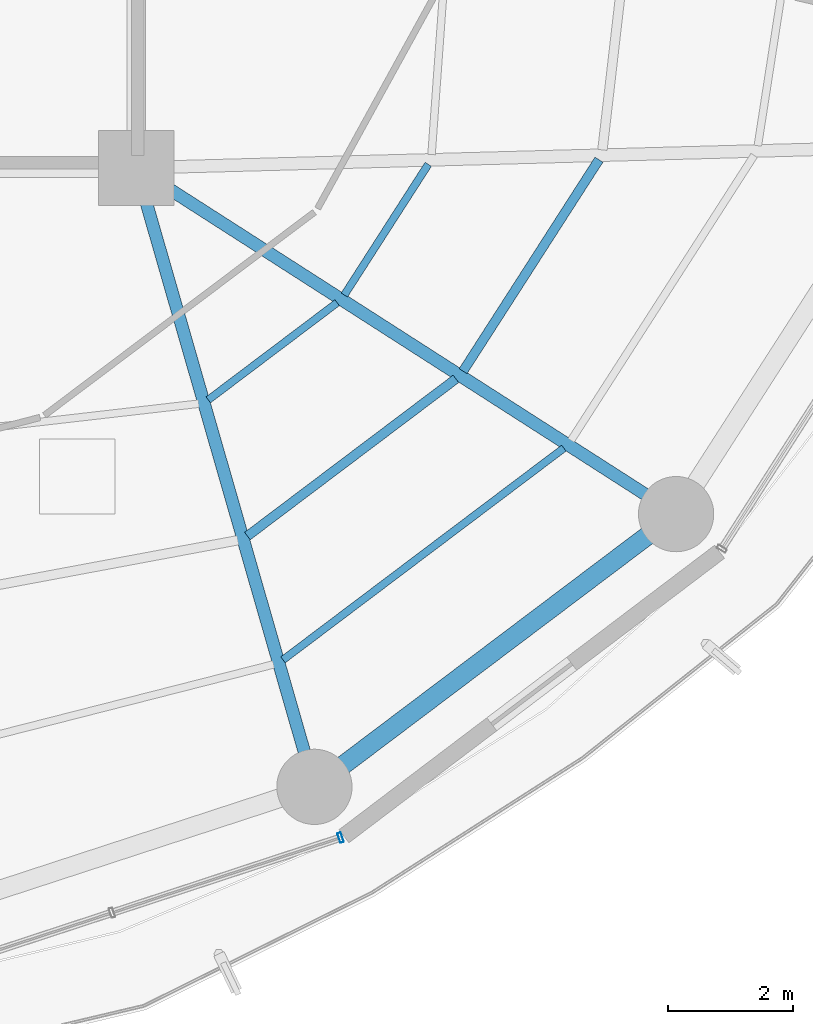
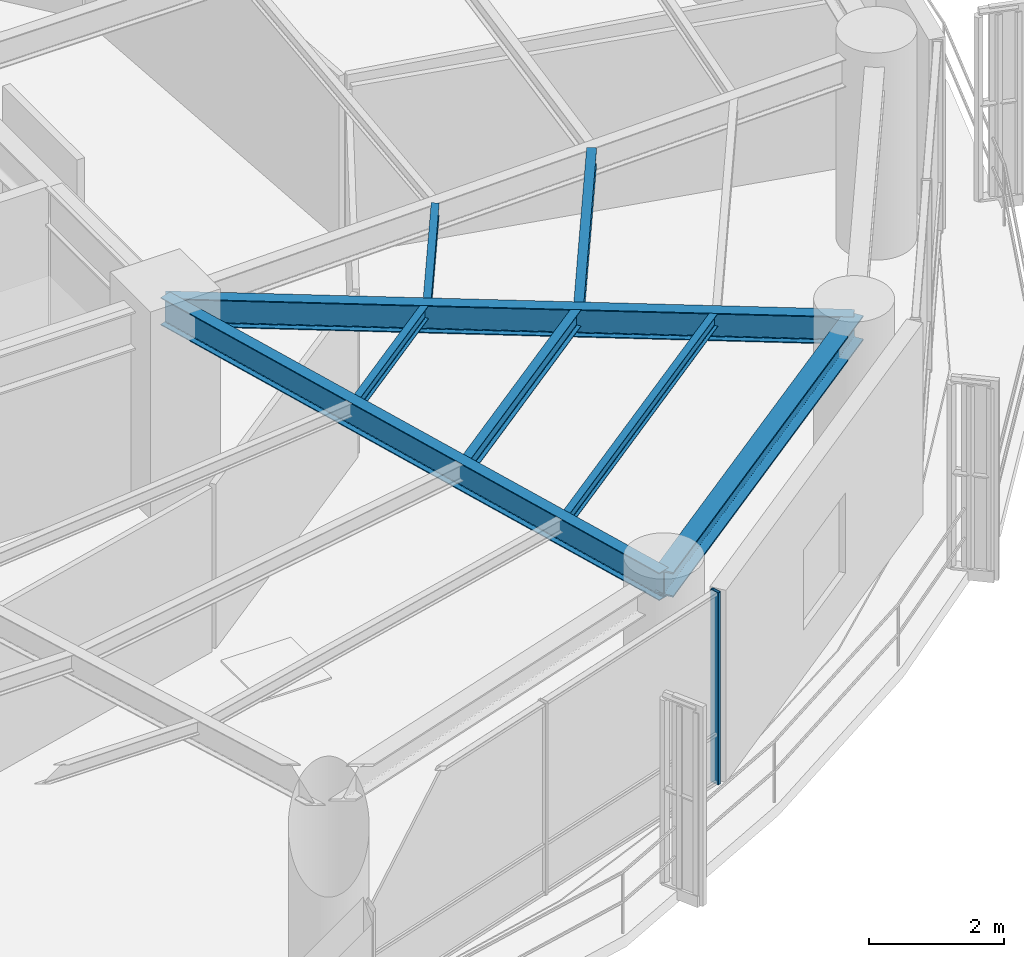
# One storey, part 10 of 27: 8 beams, 1 member, 1 element without a shape of its own.
"""IFC4 building model written with IfcOpenShell, lengths in metres."""

from ifc_helpers import new_model, si_unit, direction, frame, origin, origin_2d, place, context, subcontext, project, spatial, hollow_rectangle, i_section, extrude, material, layer, layer_set, material_profile, profile_set, type_object, element, aggregate, save


model = new_model("IFC4")

# Units and contexts
model_context = context("Model", 3, precision=1e-05, world=origin(), true_north=direction((0.0, 1.0)))
body_context = subcontext(model_context, "Body", "Model", "MODEL_VIEW")
ifc_project = project(units=[si_unit("LENGTHUNIT", "METRE"), si_unit("AREAUNIT", "SQUARE_METRE"), si_unit("VOLUMEUNIT", "CUBIC_METRE"), si_unit("PLANEANGLEUNIT", "RADIAN"), si_unit("MASSUNIT", "GRAM", prefix="KILO")], contexts=[model_context])

# Site, building, storey
site_placement = place(None, origin())
site = spatial("IfcSite", under=ifc_project, at=site_placement, CompositionType="ELEMENT")
building_placement = place(site_placement, origin())
building = spatial("IfcBuilding", under=site, at=building_placement, Name="Kelanora Arch Commons", CompositionType="ELEMENT")
storey_placement = place(building_placement, frame((0.0, 0.0, 150.60009765625)))
storey = spatial("IfcBuildingStorey", under=building, at=storey_placement, Name="L38", CompositionType="ELEMENT", Elevation=150.60009765625)

# Beams
ifc_material_1 = material(Name="Steel S355", Category="steel")
ifc_material_profile_1 = material_profile(ifc_material_1, i_section(OverallWidth=0.14990234375, OverallDepth=0.300048828125, WebThickness=0.007080078125, FlangeThickness=0.0107421875, FilletRadius=0.014892578125, at=origin_2d()), Name="IPE300")
ifc_profile_set_1 = profile_set([ifc_material_profile_1], Name="Steel S355")
beam_type_1 = type_object("IfcBeamType", Name="BM-JST-01", PredefinedType="JOIST", material=ifc_profile_set_1)
beam_1_placement = place(storey_placement, frame((83.77197265625, 45.129150390625, 3.33984375), z_axis=(0.798463547891, 0.602043156833, 0.0), x_axis=(-0.602043156833, 0.798463547891, 0.0)))
element("IfcBeam", 1, at=beam_1_placement, inside=storey, type_object=beam_type_1, Name="Secondary Chord Joist BJB-30 L38", PredefinedType="JOIST", context=body_context, shape_type="SweptSolid", body=[
    extrude(i_section(OverallWidth=0.14990234375, OverallDepth=0.300048828125, WebThickness=0.007080078125, FlangeThickness=0.0107421875, FilletRadius=0.014892578125, at=origin_2d()), origin(), (0.0, 0.0, 1.0), 4.163818359375),
])
beam_2_placement = place(storey_placement, frame((87.210693359375, 47.758544921875, 3.33984375), z_axis=(0.540594434398, 0.841283339606, 0.0), x_axis=(-0.841283339606, 0.540594434398, 0.0)))
element("IfcBeam", 2, at=beam_2_placement, inside=storey, type_object=beam_type_1, Name="Secondary Chord Joist BJB-32 L38", PredefinedType="JOIST", context=body_context, shape_type="SweptSolid", body=[
    extrude(i_section(OverallWidth=0.14990234375, OverallDepth=0.300048828125, WebThickness=0.007080078125, FlangeThickness=0.0107421875, FilletRadius=0.014892578125, at=origin_2d()), origin(), (0.0, 0.0, 1.0), 4.008544921875),
])
ifc_material_profile_2 = material_profile(ifc_material_1, i_section(OverallWidth=0.1201171875, OverallDepth=0.239990234375, WebThickness=0.006103515625, FlangeThickness=0.009765625, FilletRadius=0.014892578125, at=origin_2d()), Name="IPE240")
ifc_profile_set_2 = profile_set([ifc_material_profile_2], Name="Steel S355")
beam_type_2 = type_object("IfcBeamType", Name="BM-JST-02", PredefinedType="JOIST", material=ifc_profile_set_2)
beam_3_placement = place(storey_placement, frame((83.147216796875, 47.300537109375, 3.369873046875), z_axis=(0.798484118859, 0.602015873487, 0.0), x_axis=(-0.602015873487, 0.798484118859, 0.0)))
element("IfcBeam", 3, at=beam_3_placement, inside=storey, type_object=beam_type_2, Name="Secondary Chord Joist BJA-30 L38", PredefinedType="JOIST", context=body_context, shape_type="SweptSolid", body=[
    extrude(i_section(OverallWidth=0.1201171875, OverallDepth=0.239990234375, WebThickness=0.006103515625, FlangeThickness=0.009765625, FilletRadius=0.014892578125, at=origin_2d()), origin(), (0.0, 0.0, 1.0), 2.57470703125),
])
beam_4_placement = place(storey_placement, frame((84.33984375, 43.155029296875, 3.369873046875), z_axis=(0.798493128577, 0.602003923256, 0.0), x_axis=(-0.602003923256, 0.798493128577, 0.0)))
element("IfcBeam", 4, at=beam_4_placement, inside=storey, type_object=beam_type_2, Name="Secondary Chord Joist BJC-30 L38", PredefinedType="JOIST", context=body_context, shape_type="SweptSolid", body=[
    extrude(i_section(OverallWidth=0.1201171875, OverallDepth=0.239990234375, WebThickness=0.006103515625, FlangeThickness=0.009765625, FilletRadius=0.014892578125, at=origin_2d()), origin(), (0.0, 0.0, 1.0), 5.608642578125),
])
beam_5_placement = place(storey_placement, frame((85.31689453125, 48.973388671875, 3.369873046875), z_axis=(0.540583174025, 0.841290575224, 0.0), x_axis=(-0.841290575224, 0.540583174025, 0.0)))
element("IfcBeam", 5, at=beam_5_placement, inside=storey, type_object=beam_type_2, Name="Secondary Chord Joist BJA-32 L38", PredefinedType="JOIST", context=body_context, shape_type="SweptSolid", body=[
    extrude(i_section(OverallWidth=0.1201171875, OverallDepth=0.239990234375, WebThickness=0.006103515625, FlangeThickness=0.009765625, FilletRadius=0.014892578125, at=origin_2d()), origin(), (0.0, 0.0, 1.0), 2.476318359375),
])
ifc_material_profile_3 = material_profile(ifc_material_1, i_section(OverallWidth=0.199951171875, OverallDepth=0.5, WebThickness=0.01025390625, FlangeThickness=0.01611328125, FilletRadius=0.02099609375, at=origin_2d()), Name="IPE500")
ifc_profile_set_3 = profile_set([ifc_material_profile_3], Name="Steel S355")
beam_type_3 = type_object("IfcBeamType", Name="BM-RAD-Z3", PredefinedType="BEAM", material=ifc_profile_set_3)
beam_6_placement = place(storey_placement, frame((82.0, 51.0, 3.239990234375), z_axis=(0.276525880065, -0.961006471182, 0.0), x_axis=(0.961006471182, 0.276525880065, 0.0)))
element("IfcBeam", 6, at=beam_6_placement, inside=storey, type_object=beam_type_3, Name="Radial Floor Girder BR-30 L38", PredefinedType="BEAM", context=body_context, shape_type="SweptSolid", body=[
    extrude(i_section(OverallWidth=0.199951171875, OverallDepth=0.5, WebThickness=0.01025390625, FlangeThickness=0.01611328125, FilletRadius=0.02099609375, at=origin_2d()), origin(), (0.0, 0.0, 1.0), 10.2705078125),
])
beam_7_placement = place(storey_placement, frame((82.0, 51.0, 3.239990234375), z_axis=(0.841719465748, -0.539915123868, 0.0), x_axis=(0.539915123868, 0.841719465748, 0.0)))
element("IfcBeam", 7, at=beam_7_placement, inside=storey, type_object=beam_type_3, Name="Radial Floor Girder BR-32 L38", PredefinedType="BEAM", context=body_context, shape_type="SweptSolid", body=[
    extrude(i_section(OverallWidth=0.199951171875, OverallDepth=0.5, WebThickness=0.01025390625, FlangeThickness=0.01611328125, FilletRadius=0.02099609375, at=origin_2d()), origin(), (0.0, 0.0, 1.0), 10.2265625),
])
ifc_material_profile_4 = material_profile(ifc_material_1, i_section(OverallWidth=0.300048828125, OverallDepth=0.449951171875, WebThickness=0.013916015625, FlangeThickness=0.02587890625, FilletRadius=0.027099609375, at=origin_2d()), Name="HEB450")
ifc_profile_set_4 = profile_set([ifc_material_profile_4], Name="Steel S355")
beam_type_4 = type_object("IfcBeamType", Name="BM-SPN-Z3", PredefinedType="SPANDREL", material=ifc_profile_set_4)
beam_8_placement = place(storey_placement, frame((84.840087890625, 41.1298828125, 3.264892578125), z_axis=(0.798484645564, 0.60201517489, 0.0), x_axis=(-0.60201517489, 0.798484645564, 0.0)))
element("IfcBeam", 8, at=beam_8_placement, inside=storey, type_object=beam_type_4, Name="Perimeter Spandrel Beam BS-30 L38", PredefinedType="SPANDREL", context=body_context, shape_type="SweptSolid", body=[
    extrude(i_section(OverallWidth=0.300048828125, OverallDepth=0.449951171875, WebThickness=0.013916015625, FlangeThickness=0.02587890625, FilletRadius=0.027099609375, at=origin_2d()), origin(), (0.0, 0.0, 1.0), 7.223388671875),
])

# Curtain wall, member
ifc_material_2 = material(Name="Terracotta ceramic-fritted low-E glass and aluminium", Category="masonry")
ifc_layer = layer(ifc_material_2, 0.175048828125)
ifc_layer_set = layer_set([ifc_layer], Name="Terracotta ceramic-fritted low-E glass and aluminium")
curtain_wall_type = type_object("IfcCurtainWallType", Name="CW-SYS-02", PredefinedType="NOTDEFINED", material=ifc_layer_set)
curtain_wall_placement = place(storey_placement, origin())
curtain_wall = element("IfcCurtainWall", 9, at=curtain_wall_placement, inside=storey, type_object=curtain_wall_type, Name="Unitised Curtain Wall L38-B14", PredefinedType="NOTDEFINED")
ifc_material_3 = material(Name="Powder-coated aluminium terracotta", Category="masonry")
ifc_material_profile_5 = material_profile(ifc_material_3, hollow_rectangle(XDim=0.159912109375, YDim=0.06005859375, WallThickness=0.0048828125, InnerFilletRadius=0.0048828125, OuterFilletRadius=0.010009765625, at=origin_2d()), Name="CWM160x60")
ifc_profile_set_5 = profile_set([ifc_material_profile_5], Name="Powder-coated aluminium terracotta")
member_type = type_object("IfcMemberType", Name="CWM-STD", PredefinedType="MULLION", material=ifc_profile_set_5)
member_placement = place(storey_placement, frame((85.257080078125, 40.319091796875, 0.0), z_axis=(0.0, 0.0, 1.0), x_axis=(-0.312128279571, 0.95003996605, 0.0)))
member = element("IfcMember", 10, at=member_placement, type_object=member_type, Name="CW-02 mullion 3", PredefinedType="MULLION", context=body_context, shape_type="SweptSolid", body=[
    extrude(hollow_rectangle(XDim=0.159912109375, YDim=0.06005859375, WallThickness=0.0048828125, InnerFilletRadius=0.0048828125, OuterFilletRadius=0.010009765625, at=origin_2d()), origin(), (0.0, 0.0, 1.0), 3.474853515625),
])
aggregate(curtain_wall, [member])

save(model, "model.ifc")
